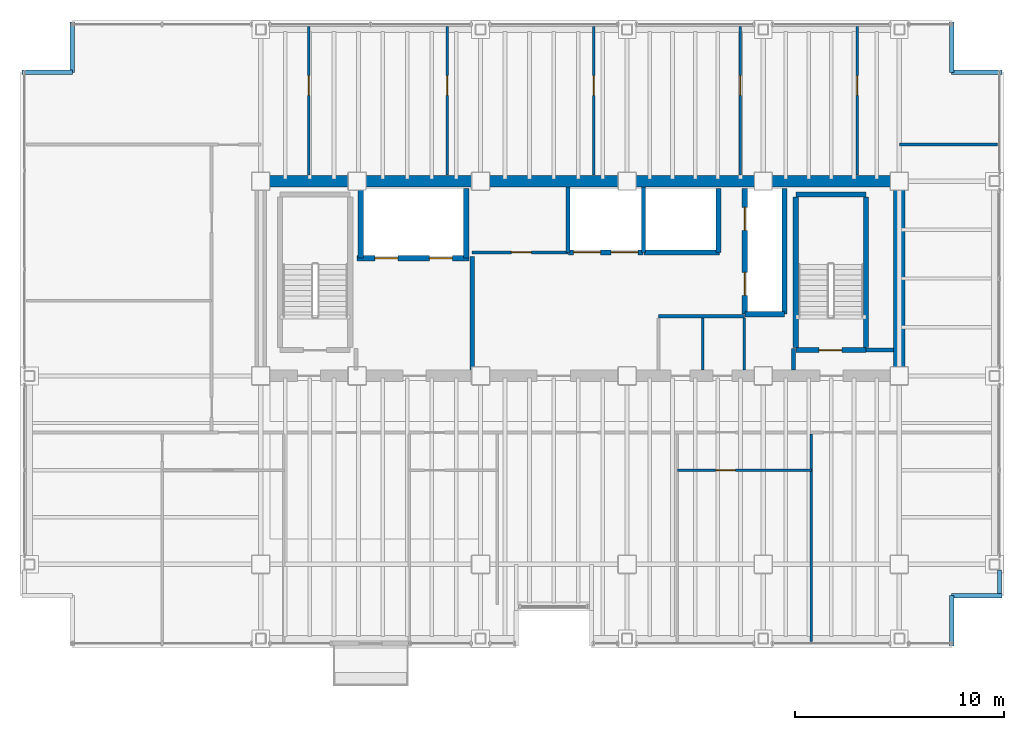
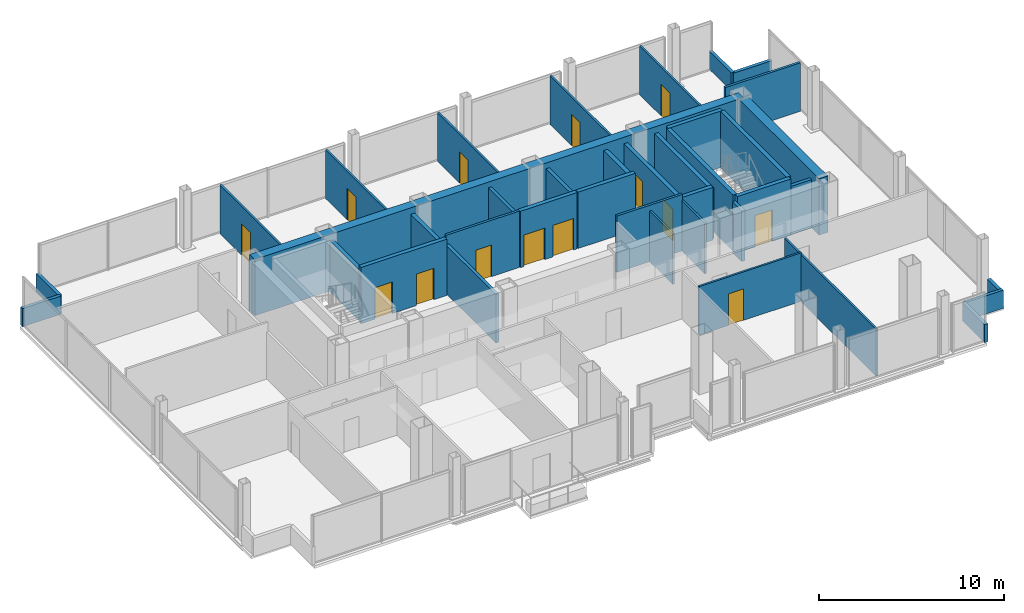
# One storey, part 17 of 19: 39 walls, 14 doors, 14 openings.
"""IFC4 building model written with IfcOpenShell, lengths in metres."""

from ifc_helpers import new_model, si_unit, direction, frame, frame_2d, origin, place, context, subcontext, project, spatial, rectangle, extrude, material, layer, layer_set, type_object, element, fill, save


model = new_model("IFC4")

# Units and contexts
model_context = context("Model", 3, precision=1e-05, world=origin(), true_north=direction((0.0, 1.0)))
body_context = subcontext(model_context, "Body", "Model", "MODEL_VIEW")
ifc_project = project(units=[si_unit("LENGTHUNIT", "METRE"), si_unit("AREAUNIT", "SQUARE_METRE"), si_unit("VOLUMEUNIT", "CUBIC_METRE"), si_unit("PLANEANGLEUNIT", "RADIAN"), si_unit("MASSUNIT", "GRAM", prefix="KILO")], contexts=[model_context])

# Site, building, storey
site_placement = place(None, origin())
site = spatial("IfcSite", under=ifc_project, at=site_placement, CompositionType="ELEMENT")
building_placement = place(site_placement, origin())
building = spatial("IfcBuilding", under=site, at=building_placement, Name="Noeulbin Bourse Tower", CompositionType="ELEMENT")
storey_placement = place(building_placement, frame((0.0, 0.0, 157.800048828125)))
storey = spatial("IfcBuildingStorey", under=building, at=storey_placement, Name="L39", CompositionType="ELEMENT", Elevation=157.800048828125)

# Walls
ifc_material_1 = material(Name="Concrete C60/75", Category="concrete")
ifc_layer_1 = layer(ifc_material_1, 0.550048828125)
ifc_layer_set_1 = layer_set([ifc_layer_1], Name="Concrete C60/75")
wall_type_1 = type_object("IfcWallType", Name="WAL-CORE-550", PredefinedType="SHEAR", material=ifc_layer_set_1)
wall_1_placement = place(storey_placement, frame((13.5, 38.300048828125, 0.0), z_axis=(0.0, 0.0, 1.0), x_axis=(1.0, 0.0, 0.0)))
element("IfcWall", 1, at=wall_1_placement, inside=storey, type_object=wall_type_1, Name="Rear Core North Shear Wall L39", PredefinedType="SHEAR", context=body_context, shape_type="SweptSolid", body=[
    extrude(rectangle(XDim=30.5, YDim=0.550048828125, at=frame_2d((15.25, 0.0))), origin(), (0.0, 0.0, 1.0), 3.719970703125),
])
wall_2_placement = place(storey_placement, frame((44.0, 29.35009765625, 0.0), z_axis=(0.0, 0.0, 1.0), x_axis=(0.0, 1.0, 0.0)))
element("IfcWall", 2, at=wall_2_placement, inside=storey, type_object=wall_type_1, Name="Rear Core East Shear Wall L39", PredefinedType="SHEAR", context=body_context, shape_type="SweptSolid", body=[
    extrude(rectangle(XDim=8.599853515625, YDim=0.550048828125, at=frame_2d((4.2998046875, 0.0))), origin(), (0.0, 0.0, 1.0), 3.719970703125),
])
ifc_material_2 = material(Name="Concrete C40/50", Category="concrete")
ifc_layer_2 = layer(ifc_material_2, 0.199951171875)
ifc_layer_set_2 = layer_set([ifc_layer_2], Name="Concrete C40/50")
wall_type_2 = type_object("IfcWallType", Name="WAL-FIRE-200", PredefinedType="STANDARD", material=ifc_layer_set_2)
wall_3_placement = place(storey_placement, frame((42.39990234375, 30.239990234375, 0.0), z_axis=(0.0, 0.0, 1.0), x_axis=(1.0, 0.0, 0.0)))
element("IfcWall", 3, at=wall_3_placement, inside=storey, type_object=wall_type_2, Name="Interior Partition Wall L39-01", PredefinedType="STANDARD", context=body_context, shape_type="SweptSolid", body=[
    extrude(rectangle(XDim=1.315185546875, YDim=0.199951171875, at=frame_2d((0.65771484375, 0.0))), origin(), (0.0, 0.0, 1.0), 3.199951171875),
])
wall_4_placement = place(storey_placement, frame((38.949951171875, 29.284912109375, 0.0), z_axis=(0.0, 0.0, 1.0), x_axis=(0.0, 1.0, 0.0)))
element("IfcWall", 4, at=wall_4_placement, inside=storey, type_object=wall_type_2, Name="Interior Partition Wall L39-12", PredefinedType="STANDARD", context=body_context, shape_type="SweptSolid", body=[
    extrude(rectangle(XDim=1.01513671875, YDim=0.199951171875, at=frame_2d((0.507568359375, 0.0))), origin(), (0.0, 0.0, 1.0), 3.349853515625),
])
wall_5_placement = place(storey_placement, frame((23.60009765625, 29.284912109375, 0.0), z_axis=(0.0, 0.0, 1.0), x_axis=(0.0, 1.0, 0.0)))
element("IfcWall", 5, at=wall_5_placement, inside=storey, type_object=wall_type_2, Name="Interior Partition Wall L39-13", PredefinedType="STANDARD", context=body_context, shape_type="SweptSolid", body=[
    extrude(rectangle(XDim=5.4150390625, YDim=0.199951171875, at=frame_2d((2.70751953125, 0.0))), origin(), (0.0, 0.0, 1.0), 3.199951171875),
])
ifc_layer_3 = layer(ifc_material_2, 0.199951171875)
ifc_layer_set_3 = layer_set([ifc_layer_3], Name="Concrete C40/50")
wall_type_3 = type_object("IfcWallType", Name="WAL-PAR-200", PredefinedType="PARAPET", material=ifc_layer_set_3)
wall_6_placement = place(storey_placement, frame((48.780029296875, 18.60009765625, 0.0), z_axis=(0.0, 0.0, 1.0), x_axis=(0.0, 1.0, 0.0)))
element("IfcWall", 6, at=wall_6_placement, inside=storey, type_object=wall_type_3, Name="Perimeter Pier Spandrel Parapet L39-E2", PredefinedType="PARAPET", context=body_context, shape_type="SweptSolid", body=[
    extrude(rectangle(XDim=1.1298828125, YDim=0.199951171875, at=frame_2d((0.56494140625, 0.0))), origin(), (0.0, 0.0, 1.0), 1.199951171875),
])
for number, where, z_axis, x_axis, name in (
    (7, (46.5, 16.10009765625, 0.0), (0.0, 0.0, 1.0), (0.0, 1.0, 0.0), "Corner Notch Parapet L39-SE1"),
    (8, (46.5, 18.5, 0.0), (0.0, 0.0, 1.0), (1.0, 0.0, 0.0), "Corner Notch Parapet L39-SE2"),
    (9, (2.10009765625, 43.5, 0.0), (0.0, 0.0, 1.0), (1.0, 0.0, 0.0), "Corner Notch Parapet L39-NW1"),
    (10, (4.5, 43.5, 0.0), (0.0, 0.0, 1.0), (0.0, 1.0, 0.0), "Corner Notch Parapet L39-NW2"),
    (11, (46.5, 45.89990234375, 0.0), (0.0, 0.0, 1.0), (0.0, -1.0, 0.0), "Corner Notch Parapet L39-NE1"),
    (12, (46.5, 43.5, 0.0), (0.0, 0.0, 1.0), (1.0, 0.0, 0.0), "Corner Notch Parapet L39-NE2"),
):
    element("IfcWall", number, at=place(storey_placement, frame(where, z_axis=z_axis, x_axis=x_axis)), inside=storey, type_object=wall_type_3, Name=name, PredefinedType="PARAPET", context=body_context, shape_type="SweptSolid", body=[
        extrude(rectangle(XDim=2.39990234375, YDim=0.199951171875, at=frame_2d((1.199951171875, 0.0))), origin(), (0.0, 0.0, 1.0), 1.199951171875),
    ])

# Wall, opening, door
ifc_material_3 = material(Name="Steel Stud Gypsum Partition", Category="steel")
ifc_layer_4 = layer(ifc_material_3, 0.1201171875)
ifc_layer_set_4 = layer_set([ifc_layer_4], Name="Steel Stud Gypsum Partition")
wall_type_4 = type_object("IfcWallType", Name="WAL-PRT-120", PredefinedType="PARTITIONING", material=ifc_layer_set_4)
wall_7_placement = place(storey_placement, frame((33.39990234375, 24.5, 0.0), z_axis=(0.0, 0.0, 1.0), x_axis=(1.0, 0.0, 0.0)))
wall_7 = element("IfcWall", 13, at=wall_7_placement, inside=storey, type_object=wall_type_4, Name="Interior Partition Wall L39-07", PredefinedType="PARTITIONING", context=body_context, shape_type="SweptSolid", body=[
    extrude(rectangle(XDim=6.400146484375, YDim=0.1201171875, at=frame_2d((3.2001953125, 0.0))), origin(), (0.0, 0.0, 1.0), 3.199951171875),
])
opening_1_placement = place(wall_7_placement, frame((1.824951171875, 0.0, 0.0)))
opening_1 = element("IfcOpeningElement", 14, at=opening_1_placement, cuts=wall_7, Name="Opening ID-09", PredefinedType="OPENING", context=body_context, shape_type="SweptSolid", body=[
    extrude(rectangle(XDim=0.949951171875, YDim=2.080078125, at=frame_2d((0.47509765625, 1.0400390625))), frame((0.0, 0.070068359375, 0.0), z_axis=(0.0, -1.0, 0.0), x_axis=(1.0, 0.0, 0.0)), (0.0, 0.0, 1.0), 0.14013671875),
])
ifc_material_4 = material(Name="Acoustic Solid-Core Timber", Category="wood")
door_type_1 = type_object("IfcDoorType", Name="DR-SINGLE-950", OperationType="SINGLE_SWING_LEFT", PredefinedType="DOOR", material=ifc_material_4)
door_1_placement = place(opening_1_placement, origin())
door_1 = element("IfcDoor", 15, at=door_1_placement, inside=storey, type_object=door_type_1, Name="Interior Door L39-15", OperationType="SINGLE_SWING_LEFT", OverallHeight=2.080078125, OverallWidth=0.949951171875, PredefinedType="DOOR", context=body_context, shape_type="SweptSolid", body=[
    extrude(rectangle(XDim=0.949951171875, YDim=2.080078125, at=frame_2d((0.47509765625, 1.0400390625))), frame((0.0, 0.02490234375, 0.0), z_axis=(0.0, -1.0, 0.0), x_axis=(1.0, 0.0, 0.0)), (0.0, 0.0, 1.0), 0.050048828125),
])
fill(opening_1, door_1)

# Walls
for number, where, z_axis, x_axis, name in (
    (16, (36.60009765625, 29.284912109375, 0.0), (0.0, 0.0, 1.0), (0.0, 1.0, 0.0), "Interior Partition Wall L39-15"),
    (17, (34.60009765625, 29.284912109375, 0.0), (0.0, 0.0, 1.0), (0.0, 1.0, 0.0), "Interior Partition Wall L39-16"),
):
    element("IfcWall", number, at=place(storey_placement, frame(where, z_axis=z_axis, x_axis=x_axis)), inside=storey, type_object=wall_type_4, Name=name, PredefinedType="PARTITIONING", context=body_context, shape_type="SweptSolid", body=[
        extrude(rectangle(XDim=2.47998046875, YDim=0.1201171875, at=frame_2d((1.239990234375, 0.0))), origin(), (0.0, 0.0, 1.0), 3.349853515625),
    ])
wall_8_placement = place(storey_placement, frame((39.800048828125, 16.31005859375, 0.0), z_axis=(0.0, 0.0, 1.0), x_axis=(0.0, 1.0, 0.0)))
element("IfcWall", 18, at=wall_8_placement, inside=storey, type_object=wall_type_4, Name="Interior Partition Wall L39-23", PredefinedType="PARTITIONING", context=body_context, shape_type="SweptSolid", body=[
    extrude(rectangle(XDim=9.905029296875, YDim=0.1201171875, at=frame_2d((4.95263671875, 0.0))), origin(), (0.0, 0.0, 1.0), 3.099853515625),
])

# Wall, opening, door
wall_9_placement = place(storey_placement, frame((15.800048828125, 38.5849609375, 0.0), z_axis=(0.0, 0.0, 1.0), x_axis=(0.0, 1.0, 0.0)))
wall_9 = element("IfcWall", 19, at=wall_9_placement, inside=storey, type_object=wall_type_4, Name="Interior Partition Wall L39-24", PredefinedType="PARTITIONING", context=body_context, shape_type="SweptSolid", body=[
    extrude(rectangle(XDim=7.10498046875, YDim=0.1201171875, at=frame_2d((3.552490234375, 0.0))), origin(), (0.0, 0.0, 1.0), 3.2119140625),
])
opening_2_placement = place(wall_9_placement, frame((3.81005859375, 0.0, 0.0)))
opening_2 = element("IfcOpeningElement", 20, at=opening_2_placement, cuts=wall_9, Name="Opening ID-09", PredefinedType="OPENING", context=body_context, shape_type="SweptSolid", body=[
    extrude(rectangle(XDim=0.949951171875, YDim=2.080078125, at=frame_2d((0.47509765625, 1.0400390625))), frame((0.0, 0.070068359375, 0.0), z_axis=(0.0, -1.0, 0.0), x_axis=(1.0, 0.0, 0.0)), (0.0, 0.0, 1.0), 0.14013671875),
])
door_2_placement = place(opening_2_placement, origin())
door_2 = element("IfcDoor", 21, at=door_2_placement, inside=storey, type_object=door_type_1, Name="Interior Door L39-21", OperationType="SINGLE_SWING_LEFT", OverallHeight=2.080078125, OverallWidth=0.949951171875, PredefinedType="DOOR", context=body_context, shape_type="SweptSolid", body=[
    extrude(rectangle(XDim=0.949951171875, YDim=2.080078125, at=frame_2d((0.47509765625, 1.0400390625))), frame((0.0, 0.02490234375, 0.0), z_axis=(0.0, -1.0, 0.0), x_axis=(1.0, 0.0, 0.0)), (0.0, 0.0, 1.0), 0.050048828125),
])
fill(opening_2, door_2)

wall_10_placement = place(storey_placement, frame((22.39990234375, 38.5849609375, 0.0), z_axis=(0.0, 0.0, 1.0), x_axis=(0.0, 1.0, 0.0)))
wall_10 = element("IfcWall", 22, at=wall_10_placement, inside=storey, type_object=wall_type_4, Name="Interior Partition Wall L39-25", PredefinedType="PARTITIONING", context=body_context, shape_type="SweptSolid", body=[
    extrude(rectangle(XDim=7.10498046875, YDim=0.1201171875, at=frame_2d((3.552490234375, 0.0))), origin(), (0.0, 0.0, 1.0), 3.2119140625),
])
opening_3_placement = place(wall_10_placement, frame((3.81005859375, 0.0, 0.0)))
opening_3 = element("IfcOpeningElement", 23, at=opening_3_placement, cuts=wall_10, Name="Opening ID-09", PredefinedType="OPENING", context=body_context, shape_type="SweptSolid", body=[
    extrude(rectangle(XDim=0.949951171875, YDim=2.080078125, at=frame_2d((0.47509765625, 1.0400390625))), frame((0.0, 0.070068359375, 0.0), z_axis=(0.0, -1.0, 0.0), x_axis=(1.0, 0.0, 0.0)), (0.0, 0.0, 1.0), 0.14013671875),
])
door_3_placement = place(opening_3_placement, origin())
door_3 = element("IfcDoor", 24, at=door_3_placement, inside=storey, type_object=door_type_1, Name="Interior Door L39-22", OperationType="SINGLE_SWING_RIGHT", OverallHeight=2.080078125, OverallWidth=0.949951171875, PredefinedType="DOOR", context=body_context, shape_type="SweptSolid", body=[
    extrude(rectangle(XDim=0.949951171875, YDim=2.080078125, at=frame_2d((0.47509765625, 1.0400390625))), frame((0.0, 0.02490234375, 0.0), z_axis=(0.0, -1.0, 0.0), x_axis=(1.0, 0.0, 0.0)), (0.0, 0.0, 1.0), 0.050048828125),
])
fill(opening_3, door_3)

wall_11_placement = place(storey_placement, frame((29.39990234375, 38.5849609375, 0.0), z_axis=(0.0, 0.0, 1.0), x_axis=(0.0, 1.0, 0.0)))
wall_11 = element("IfcWall", 25, at=wall_11_placement, inside=storey, type_object=wall_type_4, Name="Interior Partition Wall L39-26", PredefinedType="PARTITIONING", context=body_context, shape_type="SweptSolid", body=[
    extrude(rectangle(XDim=7.10498046875, YDim=0.1201171875, at=frame_2d((3.552490234375, 0.0))), origin(), (0.0, 0.0, 1.0), 3.2119140625),
])
opening_4_placement = place(wall_11_placement, frame((3.81005859375, 0.0, 0.0)))
opening_4 = element("IfcOpeningElement", 26, at=opening_4_placement, cuts=wall_11, Name="Opening ID-09", PredefinedType="OPENING", context=body_context, shape_type="SweptSolid", body=[
    extrude(rectangle(XDim=0.949951171875, YDim=2.080078125, at=frame_2d((0.47509765625, 1.0400390625))), frame((0.0, 0.070068359375, 0.0), z_axis=(0.0, -1.0, 0.0), x_axis=(1.0, 0.0, 0.0)), (0.0, 0.0, 1.0), 0.14013671875),
])
door_4_placement = place(opening_4_placement, origin())
door_4 = element("IfcDoor", 27, at=door_4_placement, inside=storey, type_object=door_type_1, Name="Interior Door L39-23", OperationType="SINGLE_SWING_LEFT", OverallHeight=2.080078125, OverallWidth=0.949951171875, PredefinedType="DOOR", context=body_context, shape_type="SweptSolid", body=[
    extrude(rectangle(XDim=0.949951171875, YDim=2.080078125, at=frame_2d((0.47509765625, 1.0400390625))), frame((0.0, 0.02490234375, 0.0), z_axis=(0.0, -1.0, 0.0), x_axis=(1.0, 0.0, 0.0)), (0.0, 0.0, 1.0), 0.050048828125),
])
fill(opening_4, door_4)

wall_12_placement = place(storey_placement, frame((36.39990234375, 38.5849609375, 0.0), z_axis=(0.0, 0.0, 1.0), x_axis=(0.0, 1.0, 0.0)))
wall_12 = element("IfcWall", 28, at=wall_12_placement, inside=storey, type_object=wall_type_4, Name="Interior Partition Wall L39-27", PredefinedType="PARTITIONING", context=body_context, shape_type="SweptSolid", body=[
    extrude(rectangle(XDim=7.10498046875, YDim=0.1201171875, at=frame_2d((3.552490234375, 0.0))), origin(), (0.0, 0.0, 1.0), 3.2119140625),
])
opening_5_placement = place(wall_12_placement, frame((3.81005859375, 0.0, 0.0)))
opening_5 = element("IfcOpeningElement", 29, at=opening_5_placement, cuts=wall_12, Name="Opening ID-09", PredefinedType="OPENING", context=body_context, shape_type="SweptSolid", body=[
    extrude(rectangle(XDim=0.949951171875, YDim=2.080078125, at=frame_2d((0.47509765625, 1.0400390625))), frame((0.0, 0.070068359375, 0.0), z_axis=(0.0, -1.0, 0.0), x_axis=(1.0, 0.0, 0.0)), (0.0, 0.0, 1.0), 0.14013671875),
])
door_5_placement = place(opening_5_placement, origin())
door_5 = element("IfcDoor", 30, at=door_5_placement, inside=storey, type_object=door_type_1, Name="Interior Door L39-24", OperationType="SINGLE_SWING_RIGHT", OverallHeight=2.080078125, OverallWidth=0.949951171875, PredefinedType="DOOR", context=body_context, shape_type="SweptSolid", body=[
    extrude(rectangle(XDim=0.949951171875, YDim=2.080078125, at=frame_2d((0.47509765625, 1.0400390625))), frame((0.0, 0.02490234375, 0.0), z_axis=(0.0, -1.0, 0.0), x_axis=(1.0, 0.0, 0.0)), (0.0, 0.0, 1.0), 0.050048828125),
])
fill(opening_5, door_5)

wall_13_placement = place(storey_placement, frame((42.0, 38.5849609375, 0.0), z_axis=(0.0, 0.0, 1.0), x_axis=(0.0, 1.0, 0.0)))
wall_13 = element("IfcWall", 31, at=wall_13_placement, inside=storey, type_object=wall_type_4, Name="Interior Partition Wall L39-28", PredefinedType="PARTITIONING", context=body_context, shape_type="SweptSolid", body=[
    extrude(rectangle(XDim=7.10498046875, YDim=0.1201171875, at=frame_2d((3.552490234375, 0.0))), origin(), (0.0, 0.0, 1.0), 3.2119140625),
])
opening_6_placement = place(wall_13_placement, frame((3.81005859375, 0.0, 0.0)))
opening_6 = element("IfcOpeningElement", 32, at=opening_6_placement, cuts=wall_13, Name="Opening ID-09", PredefinedType="OPENING", context=body_context, shape_type="SweptSolid", body=[
    extrude(rectangle(XDim=0.949951171875, YDim=2.080078125, at=frame_2d((0.47509765625, 1.0400390625))), frame((0.0, 0.070068359375, 0.0), z_axis=(0.0, -1.0, 0.0), x_axis=(1.0, 0.0, 0.0)), (0.0, 0.0, 1.0), 0.14013671875),
])
door_6_placement = place(opening_6_placement, origin())
door_6 = element("IfcDoor", 33, at=door_6_placement, inside=storey, type_object=door_type_1, Name="Interior Door L39-25", OperationType="SINGLE_SWING_LEFT", OverallHeight=2.080078125, OverallWidth=0.949951171875, PredefinedType="DOOR", context=body_context, shape_type="SweptSolid", body=[
    extrude(rectangle(XDim=0.949951171875, YDim=2.080078125, at=frame_2d((0.47509765625, 1.0400390625))), frame((0.0, 0.02490234375, 0.0), z_axis=(0.0, -1.0, 0.0), x_axis=(1.0, 0.0, 0.0)), (0.0, 0.0, 1.0), 0.050048828125),
])
fill(opening_6, door_6)

ifc_material_5 = material(Name="Steel Stud Acoustic Gypsum Board", Category="steel")
ifc_layer_5 = layer(ifc_material_5, 0.14990234375)
ifc_layer_set_5 = layer_set([ifc_layer_5], Name="Steel Stud Acoustic Gypsum Board")
wall_type_5 = type_object("IfcWallType", Name="WAL-PRT-150", PredefinedType="PARTITIONING", material=ifc_layer_set_5)
wall_14_placement = place(storey_placement, frame((23.60009765625, 34.89990234375, 0.0), z_axis=(0.0, 0.0, 1.0), x_axis=(1.0, 0.0, 0.0)))
wall_14 = element("IfcWall", 34, at=wall_14_placement, inside=storey, type_object=wall_type_5, Name="Interior Partition Wall L39-02", PredefinedType="PARTITIONING", context=body_context, shape_type="SweptSolid", body=[
    extrude(rectangle(XDim=4.579833984375, YDim=0.14990234375, at=frame_2d((2.2900390625, 0.0))), origin(), (0.0, 0.0, 1.0), 3.719970703125),
])
opening_7_placement = place(wall_14_placement, frame((1.875, 0.0, 0.0)))
opening_7 = element("IfcOpeningElement", 35, at=opening_7_placement, cuts=wall_14, Name="Opening ID-09", PredefinedType="OPENING", context=body_context, shape_type="SweptSolid", body=[
    extrude(rectangle(XDim=0.949951171875, YDim=2.080078125, at=frame_2d((0.47509765625, 1.0400390625))), frame((0.0, 0.0849609375, 0.0), z_axis=(0.0, -1.0, 0.0), x_axis=(1.0, 0.0, 0.0)), (0.0, 0.0, 1.0), 0.169921875),
])
door_7_placement = place(opening_7_placement, origin())
door_7 = element("IfcDoor", 36, at=door_7_placement, inside=storey, type_object=door_type_1, Name="Archive Room Door L39", OperationType="SINGLE_SWING_LEFT", OverallHeight=2.080078125, OverallWidth=0.949951171875, PredefinedType="DOOR", context=body_context, shape_type="SweptSolid", body=[
    extrude(rectangle(XDim=0.949951171875, YDim=2.080078125, at=frame_2d((0.47509765625, 1.0400390625))), frame((0.0, 0.02490234375, 0.0), z_axis=(0.0, -1.0, 0.0), x_axis=(1.0, 0.0, 0.0)), (0.0, 0.0, 1.0), 0.050048828125),
])
fill(opening_7, door_7)

# Walls
wall_15_placement = place(storey_placement, frame((32.5, 31.85009765625, 0.0), z_axis=(0.0, 0.0, 1.0), x_axis=(1.0, 0.0, 0.0)))
element("IfcWall", 37, at=wall_15_placement, inside=storey, type_object=wall_type_5, Name="Interior Partition Wall L39-03", PredefinedType="PARTITIONING", context=body_context, shape_type="SweptSolid", body=[
    extrude(rectangle(XDim=4.10009765625, YDim=0.14990234375, at=frame_2d((2.050048828125, 0.0))), origin(), (0.0, 0.0, 1.0), 3.719970703125),
])
wall_16_placement = place(storey_placement, frame((44.0, 40.050048828125, 0.0), z_axis=(0.0, 0.0, 1.0), x_axis=(1.0, 0.0, 0.0)))
element("IfcWall", 38, at=wall_16_placement, inside=storey, type_object=wall_type_5, Name="Interior Partition Wall L39-10", PredefinedType="PARTITIONING", context=body_context, shape_type="SweptSolid", body=[
    extrude(rectangle(XDim=4.68994140625, YDim=0.14990234375, at=frame_2d((2.344970703125, 0.0))), origin(), (0.0, 0.0, 1.0), 3.199951171875),
])

# Wall, opening, door
ifc_layer_6 = layer(ifc_material_2, 0.25)
ifc_layer_set_6 = layer_set([ifc_layer_6], Name="Concrete C40/50")
wall_type_6 = type_object("IfcWallType", Name="WAL-SHFT-250", PredefinedType="STANDARD", material=ifc_layer_set_6)
wall_17_placement = place(storey_placement, frame((39.06005859375, 30.235107421875, 0.0), z_axis=(0.0, 0.0, 1.0), x_axis=(1.0, 0.0, 0.0)))
wall_17 = element("IfcWall", 39, at=wall_17_placement, inside=storey, type_object=wall_type_6, Name="Stair ST-2 South Shaft Wall L39", PredefinedType="STANDARD", context=body_context, shape_type="SweptSolid", body=[
    extrude(rectangle(XDim=3.33984375, YDim=0.25, at=frame_2d((1.669921875, 0.0))), origin(), (0.0, 0.0, 1.0), 3.719970703125),
])
opening_8_placement = place(wall_17_placement, frame((1.10009765625, 0.0, 0.0)))
opening_8 = element("IfcOpeningElement", 40, at=opening_8_placement, cuts=wall_17, Name="Opening FD-11", PredefinedType="OPENING", context=body_context, shape_type="SweptSolid", body=[
    extrude(rectangle(XDim=1.10009765625, YDim=2.080078125, at=frame_2d((0.550048828125, 1.0400390625))), frame((0.0, 0.135009765625, 0.0), z_axis=(0.0, -1.0, 0.0), x_axis=(1.0, 0.0, 0.0)), (0.0, 0.0, 1.0), 0.27001953125),
])
ifc_material_6 = material(Name="Fire-Rated Insulated Steel", Category="steel")
door_type_2 = type_object("IfcDoorType", Name="DR-FD60-1100", OperationType="SINGLE_SWING_LEFT", PredefinedType="DOOR", material=ifc_material_6)
door_8_placement = place(opening_8_placement, origin())
door_8 = element("IfcDoor", 41, at=door_8_placement, inside=storey, type_object=door_type_2, Name="Protected Stair Entry Door ST2-L39", OperationType="SINGLE_SWING_RIGHT", OverallHeight=2.080078125, OverallWidth=1.10009765625, PredefinedType="DOOR", context=body_context, shape_type="SweptSolid", body=[
    extrude(rectangle(XDim=1.10009765625, YDim=2.080078125, at=frame_2d((0.550048828125, 1.0400390625))), frame((0.0, 0.02490234375, 0.0), z_axis=(0.0, -1.0, 0.0), x_axis=(1.0, 0.0, 0.0)), (0.0, 0.0, 1.0), 0.050048828125),
])
fill(opening_8, door_8)

# Walls
wall_18_placement = place(storey_placement, frame((39.06005859375, 37.6689453125, 0.0), z_axis=(0.0, 0.0, 1.0), x_axis=(1.0, 0.0, 0.0)))
element("IfcWall", 42, at=wall_18_placement, inside=storey, type_object=wall_type_6, Name="Stair ST-2 North Shaft Wall L39", PredefinedType="STANDARD", context=body_context, shape_type="SweptSolid", body=[
    extrude(rectangle(XDim=3.33984375, YDim=0.25, at=frame_2d((1.669921875, 0.0))), origin(), (0.0, 0.0, 1.0), 3.719970703125),
])
for number, where, z_axis, x_axis, name in (
    (43, (39.054931640625, 30.360107421875, 0.0), (0.0, 0.0, 1.0), (0.0, 1.0, 0.0), "Stair ST-2 West Shaft Wall L39"),
    (44, (42.405029296875, 30.360107421875, 0.0), (0.0, 0.0, 1.0), (0.0, 1.0, 0.0), "Stair ST-2 East Shaft Wall L39"),
):
    element("IfcWall", number, at=place(storey_placement, frame(where, z_axis=z_axis, x_axis=x_axis)), inside=storey, type_object=wall_type_6, Name=name, PredefinedType="STANDARD", context=body_context, shape_type="SweptSolid", body=[
        extrude(rectangle(XDim=7.183837890625, YDim=0.25, at=frame_2d((3.591796875, 0.0))), origin(), (0.0, 0.0, 1.0), 3.719970703125),
    ])

# Wall, openings, doors
wall_19_placement = place(storey_placement, frame((18.10009765625, 34.6201171875, 0.0), z_axis=(0.0, 0.0, 1.0), x_axis=(1.0, 0.0, 0.0)))
wall_19 = element("IfcWall", 45, at=wall_19_placement, inside=storey, type_object=wall_type_6, Name="Firefighting Lift Shaft Front L39", PredefinedType="STANDARD", context=body_context, shape_type="SweptSolid", body=[
    extrude(rectangle(XDim=5.349853515625, YDim=0.25, at=frame_2d((2.6748046875, 0.0))), origin(), (0.0, 0.0, 1.0), 3.719970703125),
])
opening_9_placement = place(wall_19_placement, frame((0.85009765625, 0.0, 0.0)))
opening_9 = element("IfcOpeningElement", 46, at=opening_9_placement, cuts=wall_19, Name="Opening LD-11", PredefinedType="OPENING", context=body_context, shape_type="SweptSolid", body=[
    extrude(rectangle(XDim=1.10009765625, YDim=2.080078125, at=frame_2d((0.550048828125, 1.0400390625))), frame((0.0, 0.135009765625, 0.0), z_axis=(0.0, -1.0, 0.0), x_axis=(1.0, 0.0, 0.0)), (0.0, 0.0, 1.0), 0.27001953125),
])
opening_10_placement = place(wall_19_placement, frame((3.449951171875, 0.0, 0.0)))
opening_10 = element("IfcOpeningElement", 47, at=opening_10_placement, cuts=wall_19, Name="Opening LD-11", PredefinedType="OPENING", context=body_context, shape_type="SweptSolid", body=[
    extrude(rectangle(XDim=1.10009765625, YDim=2.080078125, at=frame_2d((0.550048828125, 1.0400390625))), frame((0.0, 0.135009765625, 0.0), z_axis=(0.0, -1.0, 0.0), x_axis=(1.0, 0.0, 0.0)), (0.0, 0.0, 1.0), 0.27001953125),
])
ifc_material_7 = material(Name="Brushed Stainless Steel 316", Category="steel")
door_type_3 = type_object("IfcDoorType", Name="DR-LIFT-1100", OperationType="SLIDING_TO_LEFT", PredefinedType="DOOR", material=ifc_material_7)
door_9_placement = place(opening_9_placement, origin())
door_9 = element("IfcDoor", 48, at=door_9_placement, inside=storey, type_object=door_type_3, Name="Lift Landing Door LD-FL-01-L39", OperationType="SLIDING_TO_LEFT", OverallHeight=2.080078125, OverallWidth=1.10009765625, PredefinedType="DOOR", context=body_context, shape_type="SweptSolid", body=[
    extrude(rectangle(XDim=1.10009765625, YDim=2.080078125, at=frame_2d((0.550048828125, 1.0400390625))), frame((0.0, 0.02490234375, 0.0), z_axis=(0.0, -1.0, 0.0), x_axis=(1.0, 0.0, 0.0)), (0.0, 0.0, 1.0), 0.050048828125),
])
fill(opening_9, door_9)
door_10_placement = place(opening_10_placement, origin())
door_10 = element("IfcDoor", 49, at=door_10_placement, inside=storey, type_object=door_type_3, Name="Lift Landing Door LD-FL-02-L39", OperationType="SLIDING_TO_LEFT", OverallHeight=2.080078125, OverallWidth=1.10009765625, PredefinedType="DOOR", context=body_context, shape_type="SweptSolid", body=[
    extrude(rectangle(XDim=1.10009765625, YDim=2.080078125, at=frame_2d((0.550048828125, 1.0400390625))), frame((0.0, 0.02490234375, 0.0), z_axis=(0.0, -1.0, 0.0), x_axis=(1.0, 0.0, 0.0)), (0.0, 0.0, 1.0), 0.050048828125),
])
fill(opening_10, door_10)

wall_20_placement = place(storey_placement, frame((36.6201171875, 31.949951171875, 0.0), z_axis=(0.0, 0.0, 1.0), x_axis=(0.0, 1.0, 0.0)))
wall_20 = element("IfcWall", 50, at=wall_20_placement, inside=storey, type_object=wall_type_6, Name="Service Lift Shaft Wall L39", PredefinedType="STANDARD", context=body_context, shape_type="SweptSolid", body=[
    extrude(rectangle(XDim=6.0, YDim=0.25, at=frame_2d((3.0, 0.0))), origin(), (0.0, 0.0, 1.0), 3.349853515625),
])
opening_11_placement = place(wall_20_placement, frame((0.89990234375, 0.0, 0.0)))
opening_11 = element("IfcOpeningElement", 51, at=opening_11_placement, cuts=wall_20, Name="Opening LD-11", PredefinedType="OPENING", context=body_context, shape_type="SweptSolid", body=[
    extrude(rectangle(XDim=1.10009765625, YDim=2.080078125, at=frame_2d((0.550048828125, 1.0400390625))), frame((0.0, 0.135009765625, 0.0), z_axis=(0.0, -1.0, 0.0), x_axis=(1.0, 0.0, 0.0)), (0.0, 0.0, 1.0), 0.27001953125),
])
opening_12_placement = place(wall_20_placement, frame((4.0, 0.0, 0.0)))
opening_12 = element("IfcOpeningElement", 52, at=opening_12_placement, cuts=wall_20, Name="Opening LD-11", PredefinedType="OPENING", context=body_context, shape_type="SweptSolid", body=[
    extrude(rectangle(XDim=1.10009765625, YDim=2.080078125, at=frame_2d((0.550048828125, 1.0400390625))), frame((0.0, 0.135009765625, 0.0), z_axis=(0.0, -1.0, 0.0), x_axis=(1.0, 0.0, 0.0)), (0.0, 0.0, 1.0), 0.27001953125),
])
door_11_placement = place(opening_11_placement, origin())
door_11 = element("IfcDoor", 53, at=door_11_placement, inside=storey, type_object=door_type_3, Name="Lift Landing Door LD-EL-01-L39", OperationType="SLIDING_TO_LEFT", OverallHeight=2.080078125, OverallWidth=1.10009765625, PredefinedType="DOOR", context=body_context, shape_type="SweptSolid", body=[
    extrude(rectangle(XDim=1.10009765625, YDim=2.080078125, at=frame_2d((0.550048828125, 1.0400390625))), frame((0.0, 0.02490234375, 0.0), z_axis=(0.0, -1.0, 0.0), x_axis=(1.0, 0.0, 0.0)), (0.0, 0.0, 1.0), 0.050048828125),
])
fill(opening_11, door_11)
door_12_placement = place(opening_12_placement, origin())
door_12 = element("IfcDoor", 54, at=door_12_placement, inside=storey, type_object=door_type_3, Name="Lift Landing Door LD-SV-01-L39", OperationType="SLIDING_TO_LEFT", OverallHeight=2.080078125, OverallWidth=1.10009765625, PredefinedType="DOOR", context=body_context, shape_type="SweptSolid", body=[
    extrude(rectangle(XDim=1.10009765625, YDim=2.080078125, at=frame_2d((0.550048828125, 1.0400390625))), frame((0.0, 0.02490234375, 0.0), z_axis=(0.0, -1.0, 0.0), x_axis=(1.0, 0.0, 0.0)), (0.0, 0.0, 1.0), 0.050048828125),
])
fill(opening_12, door_12)

# Walls
wall_21_placement = place(storey_placement, frame((38.52001953125, 31.949951171875, 0.0), z_axis=(0.0, 0.0, 1.0), x_axis=(0.0, 1.0, 0.0)))
element("IfcWall", 55, at=wall_21_placement, inside=storey, type_object=wall_type_6, Name="Service Lift East Shaft Wall L39", PredefinedType="STANDARD", context=body_context, shape_type="SweptSolid", body=[
    extrude(rectangle(XDim=6.0, YDim=0.25, at=frame_2d((3.0, 0.0))), origin(), (0.0, 0.0, 1.0), 3.349853515625),
])
wall_22_placement = place(storey_placement, frame((36.6201171875, 31.949951171875, 0.0), z_axis=(0.0, 0.0, 1.0), x_axis=(1.0, 0.0, 0.0)))
element("IfcWall", 56, at=wall_22_placement, inside=storey, type_object=wall_type_6, Name="Service Lift South Shaft Wall L39", PredefinedType="STANDARD", context=body_context, shape_type="SweptSolid", body=[
    extrude(rectangle(XDim=1.89990234375, YDim=0.25, at=frame_2d((0.949951171875, 0.0))), origin(), (0.0, 0.0, 1.0), 3.47998046875),
])
for number, where, z_axis, x_axis, name in (
    (57, (18.280029296875, 34.6201171875, 0.0), (0.0, 0.0, 1.0), (0.0, 1.0, 0.0), "Firefighting Lift West Shaft Wall L39"),
    (58, (23.320068359375, 34.6201171875, 0.0), (0.0, 0.0, 1.0), (0.0, 1.0, 0.0), "Firefighting Lift East Shaft Wall L39"),
):
    element("IfcWall", number, at=place(storey_placement, frame(where, z_axis=z_axis, x_axis=x_axis)), inside=storey, type_object=wall_type_6, Name=name, PredefinedType="STANDARD", context=body_context, shape_type="SweptSolid", body=[
        extrude(rectangle(XDim=3.329833984375, YDim=0.25, at=frame_2d((1.6650390625, 0.0))), origin(), (0.0, 0.0, 1.0), 3.349853515625),
    ])
wall_23_placement = place(storey_placement, frame((35.360107421875, 34.89990234375, 0.0), z_axis=(0.0, 0.0, 1.0), x_axis=(0.0, 1.0, 0.0)))
element("IfcWall", 59, at=wall_23_placement, inside=storey, type_object=wall_type_6, Name="High-Rise Lift East Shaft Wall L39", PredefinedType="STANDARD", context=body_context, shape_type="SweptSolid", body=[
    extrude(rectangle(XDim=3.050048828125, YDim=0.25, at=frame_2d((1.52490234375, 0.0))), origin(), (0.0, 0.0, 1.0), 3.349853515625),
])

# Wall, openings, doors
wall_24_placement = place(storey_placement, frame((28.199951171875, 34.89990234375, 0.0), z_axis=(0.0, 0.0, 1.0), x_axis=(1.0, 0.0, 0.0)))
wall_24 = element("IfcWall", 60, at=wall_24_placement, inside=storey, type_object=wall_type_6, Name="Mid-Rise Lift Bank Front L39", PredefinedType="STANDARD", context=body_context, shape_type="SweptSolid", body=[
    extrude(rectangle(XDim=3.550048828125, YDim=0.25, at=frame_2d((1.77490234375, 0.0))), origin(), (0.0, 0.0, 1.0), 3.719970703125),
])
opening_13_placement = place(wall_24_placement, frame((0.22998046875, 0.0, 0.0)))
opening_13 = element("IfcOpeningElement", 61, at=opening_13_placement, cuts=wall_24, Name="Opening LD-13", PredefinedType="OPENING", context=body_context, shape_type="SweptSolid", body=[
    extrude(rectangle(XDim=1.300048828125, YDim=2.080078125, at=frame_2d((0.64990234375, 1.0400390625))), frame((0.0, 0.135009765625, 0.0), z_axis=(0.0, -1.0, 0.0), x_axis=(1.0, 0.0, 0.0)), (0.0, 0.0, 1.0), 0.27001953125),
])
opening_14_placement = place(wall_24_placement, frame((2.030029296875, 0.0, 0.0)))
opening_14 = element("IfcOpeningElement", 62, at=opening_14_placement, cuts=wall_24, Name="Opening LD-13", PredefinedType="OPENING", context=body_context, shape_type="SweptSolid", body=[
    extrude(rectangle(XDim=1.300048828125, YDim=2.080078125, at=frame_2d((0.64990234375, 1.0400390625))), frame((0.0, 0.135009765625, 0.0), z_axis=(0.0, -1.0, 0.0), x_axis=(1.0, 0.0, 0.0)), (0.0, 0.0, 1.0), 0.27001953125),
])
door_type_4 = type_object("IfcDoorType", Name="DR-LIFT-1300", OperationType="DOUBLE_DOOR_SLIDING", PredefinedType="DOOR", material=ifc_material_7)
door_13_placement = place(opening_13_placement, origin())
door_13 = element("IfcDoor", 63, at=door_13_placement, inside=storey, type_object=door_type_4, Name="Lift Landing Door LD-PL-M1-L39", OperationType="DOUBLE_DOOR_SLIDING", OverallHeight=2.080078125, OverallWidth=1.300048828125, PredefinedType="DOOR", context=body_context, shape_type="SweptSolid", body=[
    extrude(rectangle(XDim=1.300048828125, YDim=2.080078125, at=frame_2d((0.64990234375, 1.0400390625))), frame((0.0, 0.02490234375, 0.0), z_axis=(0.0, -1.0, 0.0), x_axis=(1.0, 0.0, 0.0)), (0.0, 0.0, 1.0), 0.050048828125),
])
fill(opening_13, door_13)
door_14_placement = place(opening_14_placement, origin())
door_14 = element("IfcDoor", 64, at=door_14_placement, inside=storey, type_object=door_type_4, Name="Lift Landing Door LD-PL-M2-L39", OperationType="DOUBLE_DOOR_SLIDING", OverallHeight=2.080078125, OverallWidth=1.300048828125, PredefinedType="DOOR", context=body_context, shape_type="SweptSolid", body=[
    extrude(rectangle(XDim=1.300048828125, YDim=2.080078125, at=frame_2d((0.64990234375, 1.0400390625))), frame((0.0, 0.02490234375, 0.0), z_axis=(0.0, -1.0, 0.0), x_axis=(1.0, 0.0, 0.0)), (0.0, 0.0, 1.0), 0.050048828125),
])
fill(opening_14, door_14)

# Walls
wall_25_placement = place(storey_placement, frame((31.800048828125, 34.89990234375, 0.0), z_axis=(0.0, 0.0, 1.0), x_axis=(1.0, 0.0, 0.0)))
element("IfcWall", 65, at=wall_25_placement, inside=storey, type_object=wall_type_6, Name="High-Rise Lift Bank Front L39", PredefinedType="STANDARD", context=body_context, shape_type="SweptSolid", body=[
    extrude(rectangle(XDim=3.599853515625, YDim=0.25, at=frame_2d((1.7998046875, 0.0))), origin(), (0.0, 0.0, 1.0), 3.719970703125),
])
for number, where, z_axis, x_axis, name in (
    (66, (28.179931640625, 34.89990234375, 0.0), (0.0, 0.0, 1.0), (0.0, 1.0, 0.0), "Hoistway Side Shaft Wall L39-PLMW"),
    (67, (31.780029296875, 34.89990234375, 0.0), (0.0, 0.0, 1.0), (0.0, 1.0, 0.0), "Hoistway Side Shaft Wall L39-PLHW"),
):
    element("IfcWall", number, at=place(storey_placement, frame(where, z_axis=z_axis, x_axis=x_axis)), inside=storey, type_object=wall_type_6, Name=name, PredefinedType="STANDARD", context=body_context, shape_type="SweptSolid", body=[
        extrude(rectangle(XDim=3.1201171875, YDim=0.199951171875, at=frame_2d((1.56005859375, 0.0))), origin(), (0.0, 0.0, 1.0), 3.349853515625),
    ])

save(model, "model.ifc")
